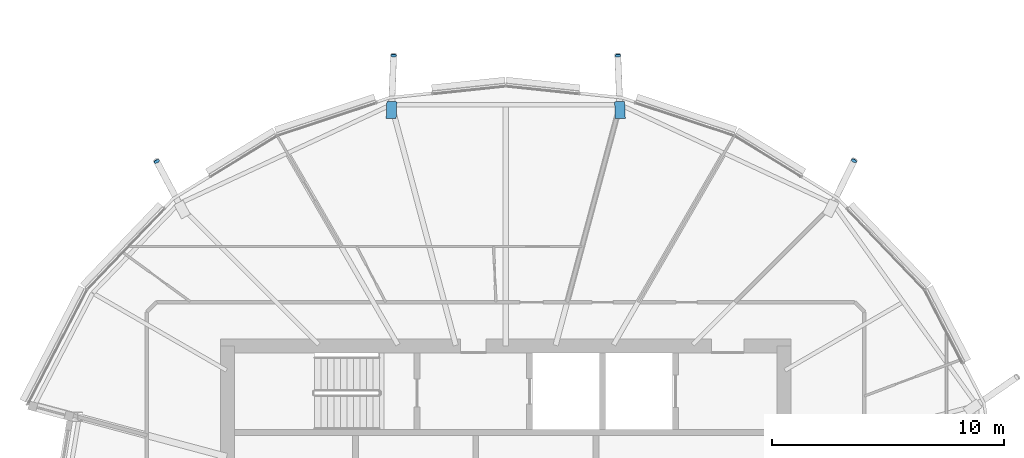
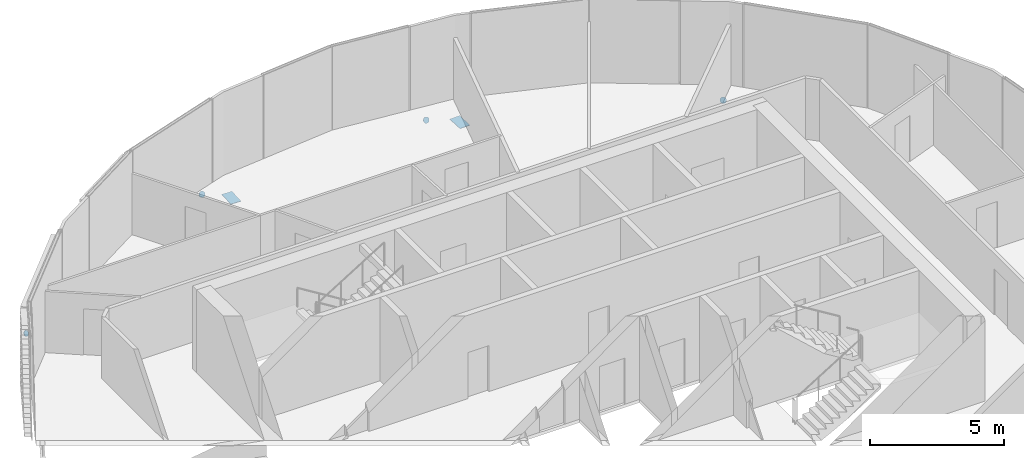
# One storey, part 27 of 35: 6 discrete accessories.
"""IFC4 building model written with IfcOpenShell, lengths in metres."""

from ifc_helpers import new_model, si_unit, direction, frame, origin, origin_2d, place, context, subcontext, project, spatial, polyline, rectangle, circle, outline, extrude, material, material_profile, profile_set, type_object, element, save


model = new_model("IFC4")

# Units and contexts
model_context = context("Model", 3, precision=1e-05, world=origin(), true_north=direction((0.0, 1.0)))
body_context = subcontext(model_context, "Body", "Model", "MODEL_VIEW")
ifc_project = project(units=[si_unit("LENGTHUNIT", "METRE"), si_unit("AREAUNIT", "SQUARE_METRE"), si_unit("VOLUMEUNIT", "CUBIC_METRE"), si_unit("PLANEANGLEUNIT", "RADIAN"), si_unit("MASSUNIT", "GRAM", prefix="KILO")], contexts=[model_context])

# Site, building, storey
site_placement = place(None, origin())
site = spatial("IfcSite", under=ifc_project, at=site_placement, CompositionType="ELEMENT")
building_placement = place(site_placement, origin())
building = spatial("IfcBuilding", under=site, at=building_placement, Name="Rimbun Link Towers", CompositionType="ELEMENT")
storey_placement = place(building_placement, frame((0.0, 0.0, 196.89990234375)))
storey = spatial("IfcBuildingStorey", under=building, at=storey_placement, Name="L48", CompositionType="ELEMENT", Elevation=196.89990234375)

# Discrete accessories
ifc_material_1 = material(Name="Steel S355J2H", Category="steel")
ifc_material_profile_1 = material_profile(ifc_material_1, circle(Radius=0.1240234375, at=origin_2d()), Name="PL D248")
ifc_profile_set_1 = profile_set([ifc_material_profile_1], Name="Steel S355J2H")
discrete_accessory_type_1 = type_object("IfcDiscreteAccessoryType", Name="Link foot sealing plate D248X20", PredefinedType="BRACKET", material=ifc_profile_set_1)
discrete_accessory_1_placement = place(storey_placement, frame((-16.72802734375, 15.98779296875, -1.96142578125), z_axis=(0.381266032616, 0.77483096951, -0.504255075395), x_axis=(-0.897257484736, 0.441507651219, 0.0)))
element("IfcDiscreteAccessory", 1, at=discrete_accessory_1_placement, inside=storey, type_object=discrete_accessory_type_1, Name="Link foot sealing plate T1 L48 03", PredefinedType="BRACKET", context=body_context, shape_type="SweptSolid", body=[
    extrude(circle(Radius=0.1240234375, at=origin_2d()), origin(), (0.0, 0.0, 1.0), 0.019775390625),
])
for number, where, z_axis, x_axis, name in (
    (2, (-26.913330078125, 20.525390625, -2.0546875), (-0.036612601297, 0.878702431126, -0.47596381686), (-0.999133073092, -0.041630544712, 0.0), "Link foot sealing plate T1 L48 05"),
    (3, (-36.586669921875, 20.525390625, -2.0546875), (0.036612601297, 0.878702431126, -0.47596381686), (-0.999133073092, 0.041630544712, 0.0), "Link foot sealing plate T1 L48 07"),
):
    element("IfcDiscreteAccessory", number, at=place(storey_placement, frame(where, z_axis=z_axis, x_axis=x_axis)), inside=storey, type_object=discrete_accessory_type_1, Name=name, PredefinedType="BRACKET", context=body_context, shape_type="SweptSolid", body=[
        extrude(circle(Radius=0.1240234375, at=origin_2d()), origin(), (0.0, 0.0, 1.0), 0.02001953125),
    ])
discrete_accessory_2_placement = place(storey_placement, frame((-46.803466796875, 15.96240234375, -2.05078125), z_axis=(-0.39294133793, 0.76132384224, -0.515735506033), x_axis=(-0.888620657055, -0.45864291977, 0.0)))
element("IfcDiscreteAccessory", 4, at=discrete_accessory_2_placement, inside=storey, type_object=discrete_accessory_type_1, Name="Link foot sealing plate T1 L48 09", PredefinedType="BRACKET", context=body_context, shape_type="SweptSolid", body=[
    extrude(circle(Radius=0.1240234375, at=origin_2d()), origin(), (0.0, 0.0, 1.0), 0.019775390625),
])
ifc_material_2 = material(Name="Steel S355J2H", Category="steel")
ifc_material_profile_2 = material_profile(ifc_material_2, rectangle(XDim=0.43310546875, YDim=0.43310546875, at=origin_2d()), Name="PL 433x433")
ifc_profile_set_2 = profile_set([ifc_material_profile_2], Name="Steel S355J2H")
discrete_accessory_type_2 = type_object("IfcDiscreteAccessoryType", Name="Link head end plate 433X20", PredefinedType="BRACKET", material=ifc_profile_set_2)
discrete_accessory_3_placement = place(storey_placement, frame((0.0, 0.0, -0.7724609375)))
element("IfcDiscreteAccessory", 5, at=discrete_accessory_3_placement, inside=storey, type_object=discrete_accessory_type_2, Name="Link head end plate T1 L48 05", PredefinedType="BRACKET", context=body_context, shape_type="SweptSolid", body=[
    extrude(outline(polyline([(-26.59228515625, 17.82470703125), (-26.62060546875, 18.553466796875), (-27.05322265625, 18.53662109375), (-27.025146484375, 17.80810546875), (-26.59228515625, 17.82470703125)])), origin(), (0.0, 0.0, 1.0), 0.02001953125),
])
discrete_accessory_4_placement = place(storey_placement, frame((0.0, 0.0, -0.7724609375)))
element("IfcDiscreteAccessory", 6, at=discrete_accessory_4_placement, inside=storey, type_object=discrete_accessory_type_2, Name="Link head end plate T1 L48 07", PredefinedType="BRACKET", context=body_context, shape_type="SweptSolid", body=[
    extrude(outline(polyline([(-36.474853515625, 17.80810546875), (-36.44677734375, 18.53662109375), (-36.87939453125, 18.553466796875), (-36.90771484375, 17.82470703125), (-36.474853515625, 17.80810546875)])), origin(), (0.0, 0.0, 1.0), 0.02001953125),
])

save(model, "model.ifc")
